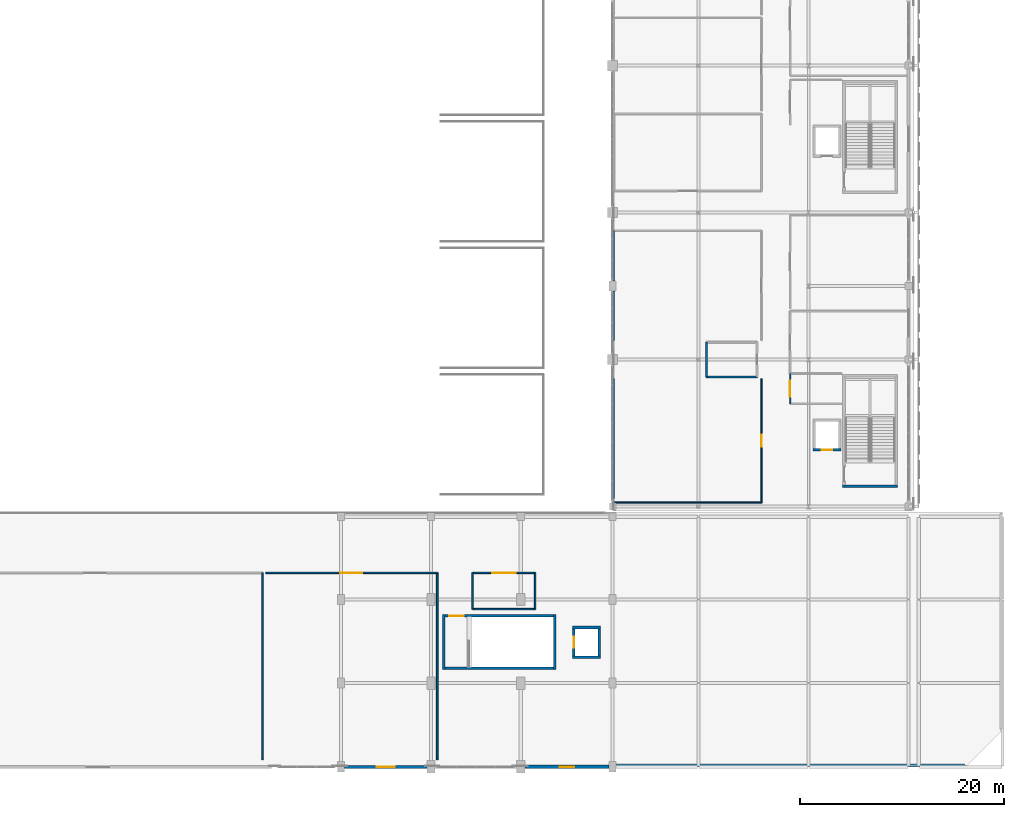
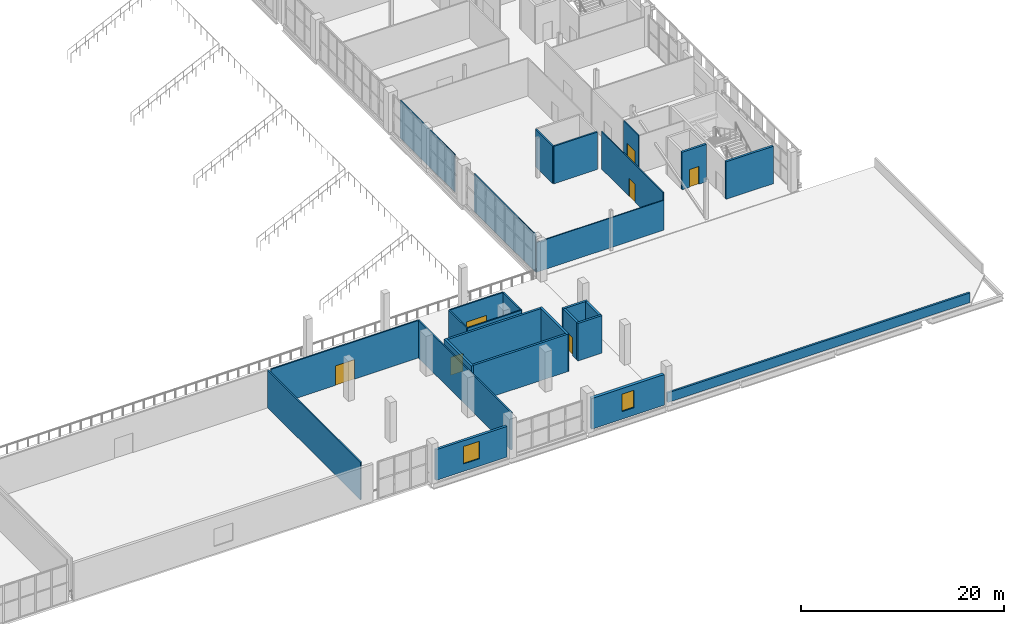
# One storey, part 69 of 104: 27 walls, 7 doors, 2 windows, 9 openings.
"""IFC4 building model written with IfcOpenShell, lengths in metres."""

from ifc_helpers import new_model, si_unit, direction, frame, frame_2d, origin, place, context, subcontext, project, spatial, rectangle, extrude, material, layer, layer_set, type_object, element, fill, save


model = new_model("IFC4")

# Units and contexts
model_context = context("Model", 3, precision=1e-05, world=origin(), true_north=direction((0.0, 1.0)))
body_context = subcontext(model_context, "Body", "Model", "MODEL_VIEW")
ifc_project = project(units=[si_unit("LENGTHUNIT", "METRE"), si_unit("AREAUNIT", "SQUARE_METRE"), si_unit("VOLUMEUNIT", "CUBIC_METRE"), si_unit("PLANEANGLEUNIT", "RADIAN"), si_unit("MASSUNIT", "GRAM", prefix="KILO")], contexts=[model_context])

# Site, building, storey
site_placement = place(None, origin())
site = spatial("IfcSite", under=ifc_project, at=site_placement, CompositionType="ELEMENT")
building_placement = place(site_placement, origin())
building = spatial("IfcBuilding", under=site, at=building_placement, Name="Koshinbarg Plaza Stadium", CompositionType="ELEMENT")
storey_placement = place(building_placement, frame((0.0, 0.0, 19.800048828125)))
storey = spatial("IfcBuildingStorey", under=building, at=storey_placement, Name="L04", CompositionType="ELEMENT", Elevation=19.800048828125)

# Walls
ifc_material_1 = material(Name="Concrete C40/50", Category="concrete")
ifc_layer_1 = layer(ifc_material_1, 0.25)
ifc_layer_set_1 = layer_set([ifc_layer_1], Name="Concrete C40/50")
wall_type_1 = type_object("IfcWallType", Name="WL-CORE-250", PredefinedType="SHEAR", material=ifc_layer_set_1)
wall_1_placement = place(storey_placement, frame((211.949951171875, 27.47509765625, 0.0), z_axis=(0.0, 0.0, 1.0), x_axis=(1.0, 0.0, 0.0)))
element("IfcWall", 1, at=wall_1_placement, inside=storey, type_object=wall_type_1, Name="L04 core stair shear wall C07-near IWL-L04-0178", PredefinedType="SHEAR", context=body_context, shape_type="SweptSolid", body=[
    extrude(rectangle(XDim=5.3701171875, YDim=0.25, at=frame_2d((2.68505859375, 0.0))), origin(), (0.0, 0.0, 1.0), 4.5),
])
for number, where, z_axis, x_axis, name in (
    (2, (172.875, 14.919921875, 0.0), (0.0, 0.0, 1.0), (0.0, -1.0, 0.0), "L04 core stair shear wall C14-near IWL-L04-0326"),
    (3, (183.72509765625, 9.550048828125, 0.0), (0.0, 0.0, 1.0), (0.0, 1.0, 0.0), "L04 core stair shear wall C14-far IWL-L04-0327"),
):
    element("IfcWall", number, at=place(storey_placement, frame(where, z_axis=z_axis, x_axis=x_axis)), inside=storey, type_object=wall_type_1, Name=name, PredefinedType="SHEAR", context=body_context, shape_type="SweptSolid", body=[
        extrude(rectangle(XDim=5.369873046875, YDim=0.25, at=frame_2d((2.68505859375, 0.0))), origin(), (0.0, 0.0, 1.0), 4.5),
    ])

# Wall, opening, door
wall_2_placement = place(storey_placement, frame((172.875, 14.794921875, 0.0), z_axis=(0.0, 0.0, 1.0), x_axis=(1.0, 0.0, 0.0)))
wall_2 = element("IfcWall", 4, at=wall_2_placement, inside=storey, type_object=wall_type_1, Name="L04 core stair shear wall C14-left IWL-L04-0328", PredefinedType="SHEAR", context=body_context, shape_type="SweptSolid", body=[
    extrude(rectangle(XDim=10.85009765625, YDim=0.25, at=frame_2d((5.425048828125, 0.0))), origin(), (0.0, 0.0, 1.0), 4.5),
])
opening_1_placement = place(wall_2_placement, frame((0.52001953125, 0.0, 0.0)))
opening_1 = element("IfcOpeningElement", 5, at=opening_1_placement, cuts=wall_2, Name="Opening D-0144", PredefinedType="OPENING", context=body_context, shape_type="SweptSolid", body=[
    extrude(rectangle(XDim=1.39990234375, YDim=2.14990234375, at=frame_2d((0.699951171875, 1.074951171875))), frame((0.0, 0.135009765625, 0.0), z_axis=(0.0, -1.0, 0.0), x_axis=(1.0, 0.0, 0.0)), (0.0, 0.0, 1.0), 0.27001953125),
])
ifc_material_2 = material(Name="Painted galvanized steel fire door", Category="steel")
door_type_1 = type_object("IfcDoorType", Name="DR-STAIR-1400", OperationType="NOTDEFINED", PredefinedType="DOOR", material=ifc_material_2)
door_1_placement = place(opening_1_placement, frame((1.39990234375, 0.0, 0.0), z_axis=(0.0, 0.0, 1.0), x_axis=(-1.0, 0.0, 0.0)))
door_1 = element("IfcDoor", 6, at=door_1_placement, inside=storey, type_object=door_type_1, Name="L04 exit stair door C14", OperationType="SINGLE_SWING_LEFT", OverallHeight=2.14990234375, OverallWidth=1.39990234375, PredefinedType="DOOR", context=body_context, shape_type="SweptSolid", body=[
    extrude(rectangle(XDim=1.39990234375, YDim=2.14990234375, at=frame_2d((0.699951171875, 1.074951171875))), frame((0.0, 0.02490234375, 0.0), z_axis=(0.0, -1.0, 0.0), x_axis=(1.0, 0.0, 0.0)), (0.0, 0.0, 1.0), 0.050048828125),
])
fill(opening_1, door_1)

# Wall
wall_3_placement = place(storey_placement, frame((172.875, 9.675048828125, 0.0), z_axis=(0.0, 0.0, 1.0), x_axis=(1.0, 0.0, 0.0)))
element("IfcWall", 7, at=wall_3_placement, inside=storey, type_object=wall_type_1, Name="L04 core stair shear wall C14-right IWL-L04-0329", PredefinedType="SHEAR", context=body_context, shape_type="SweptSolid", body=[
    extrude(rectangle(XDim=10.85009765625, YDim=0.25, at=frame_2d((5.425048828125, 0.0))), origin(), (0.0, 0.0, 1.0), 4.5),
])

# Wall, opening, door
wall_4_placement = place(storey_placement, frame((209.02490234375, 31.050048828125, 0.0), z_axis=(0.0, 0.0, 1.0), x_axis=(1.0, 0.0, 0.0)))
wall_4 = element("IfcWall", 8, at=wall_4_placement, inside=storey, type_object=wall_type_1, Name="L04 lift shaft shear wall LP03-S IWL-L04-0878", PredefinedType="SHEAR", context=body_context, shape_type="SweptSolid", body=[
    extrude(rectangle(XDim=2.75, YDim=0.25, at=frame_2d((1.375, 0.0))), origin(), (0.0, 0.0, 1.0), 4.5),
])
opening_2_placement = place(wall_4_placement, frame((0.85009765625, 0.0, 0.0)))
opening_2 = element("IfcOpeningElement", 9, at=opening_2_placement, cuts=wall_4, Name="Opening D-0289", PredefinedType="OPENING", context=body_context, shape_type="SweptSolid", body=[
    extrude(rectangle(XDim=1.050048828125, YDim=2.14990234375, at=frame_2d((0.52490234375, 1.074951171875))), frame((0.0, 0.135009765625, 0.0), z_axis=(0.0, -1.0, 0.0), x_axis=(1.0, 0.0, 0.0)), (0.0, 0.0, 1.0), 0.27001953125),
])
ifc_material_3 = material(Name="Brushed stainless steel sliding lift landing door", Category="steel")
door_type_2 = type_object("IfcDoorType", Name="DR-LIFT-1050", OperationType="NOTDEFINED", PredefinedType="DOOR", material=ifc_material_3)
door_2_placement = place(opening_2_placement, origin())
door_2 = element("IfcDoor", 10, at=door_2_placement, inside=storey, type_object=door_type_2, Name="L04 lift landing door LP03", OperationType="SLIDING_TO_RIGHT", OverallHeight=2.14990234375, OverallWidth=1.050048828125, PredefinedType="DOOR", context=body_context, shape_type="SweptSolid", body=[
    extrude(rectangle(XDim=1.050048828125, YDim=2.14990234375, at=frame_2d((0.52490234375, 1.074951171875))), frame((0.0, 0.02490234375, 0.0), z_axis=(0.0, -1.0, 0.0), x_axis=(1.0, 0.0, 0.0)), (0.0, 0.0, 1.0), 0.050048828125),
])
fill(opening_2, door_2)

# Walls
for number, where, z_axis, x_axis, name in (
    (11, (185.47509765625, 10.75, 0.0), (0.0, 0.0, 1.0), (1.0, 0.0, 0.0), "L04 lift shaft shear wall LP10-S IWL-L04-1026"),
    (12, (188.22509765625, 13.64990234375, 0.0), (0.0, 0.0, 1.0), (-1.0, 0.0, 0.0), "L04 lift shaft shear wall LP10-N IWL-L04-1027"),
):
    element("IfcWall", number, at=place(storey_placement, frame(where, z_axis=z_axis, x_axis=x_axis)), inside=storey, type_object=wall_type_1, Name=name, PredefinedType="SHEAR", context=body_context, shape_type="SweptSolid", body=[
        extrude(rectangle(XDim=2.75, YDim=0.25, at=frame_2d((1.375, 0.0))), origin(), (0.0, 0.0, 1.0), 4.5),
    ])

# Wall, opening, door
wall_5_placement = place(storey_placement, frame((185.60009765625, 13.64990234375, 0.0), z_axis=(0.0, 0.0, 1.0), x_axis=(0.0, -1.0, 0.0)))
wall_5 = element("IfcWall", 13, at=wall_5_placement, inside=storey, type_object=wall_type_1, Name="L04 lift shaft shear wall LP10-W IWL-L04-1028", PredefinedType="SHEAR", context=body_context, shape_type="SweptSolid", body=[
    extrude(rectangle(XDim=2.89990234375, YDim=0.25, at=frame_2d((1.449951171875, 0.0))), origin(), (0.0, 0.0, 1.0), 4.5),
])
opening_3_placement = place(wall_5_placement, frame((0.925048828125, 0.0, 0.0)))
opening_3 = element("IfcOpeningElement", 14, at=opening_3_placement, cuts=wall_5, Name="Opening D-0326", PredefinedType="OPENING", context=body_context, shape_type="SweptSolid", body=[
    extrude(rectangle(XDim=1.050048828125, YDim=2.14990234375, at=frame_2d((0.52490234375, 1.074951171875))), frame((0.0, 0.135009765625, 0.0), z_axis=(0.0, -1.0, 0.0), x_axis=(1.0, 0.0, 0.0)), (0.0, 0.0, 1.0), 0.27001953125),
])
door_3_placement = place(opening_3_placement, origin())
door_3 = element("IfcDoor", 15, at=door_3_placement, inside=storey, type_object=door_type_2, Name="L04 lift landing door LP10", OperationType="SLIDING_TO_LEFT", OverallHeight=2.14990234375, OverallWidth=1.050048828125, PredefinedType="DOOR", context=body_context, shape_type="SweptSolid", body=[
    extrude(rectangle(XDim=1.050048828125, YDim=2.14990234375, at=frame_2d((0.52490234375, 1.074951171875))), frame((0.0, 0.02490234375, 0.0), z_axis=(0.0, -1.0, 0.0), x_axis=(1.0, 0.0, 0.0)), (0.0, 0.0, 1.0), 0.050048828125),
])
fill(opening_3, door_3)

# Wall
wall_6_placement = place(storey_placement, frame((188.10009765625, 10.75, 0.0), z_axis=(0.0, 0.0, 1.0), x_axis=(0.0, 1.0, 0.0)))
element("IfcWall", 16, at=wall_6_placement, inside=storey, type_object=wall_type_1, Name="L04 lift shaft shear wall LP10-E IWL-L04-1029", PredefinedType="SHEAR", context=body_context, shape_type="SweptSolid", body=[
    extrude(rectangle(XDim=2.89990234375, YDim=0.25, at=frame_2d((1.449951171875, 0.0))), origin(), (0.0, 0.0, 1.0), 4.5),
])

# Wall, opening, window
ifc_material_4 = material(Name="Terracotta-ochre mineral plaster insulated wall", Category="masonry")
ifc_layer_2 = layer(ifc_material_4, 0.280029296875)
ifc_layer_set_2 = layer_set([ifc_layer_2], Name="Terracotta-ochre mineral plaster insulated wall")
wall_type_2 = type_object("IfcWallType", Name="WL-EXT-280", PredefinedType="SOLIDWALL", material=ifc_layer_set_2)
wall_7_placement = place(storey_placement, frame((171.205078125, 0.0, 0.0), z_axis=(0.0, 0.0, 1.0), x_axis=(-1.0, 0.0, 0.0)))
wall_7 = element("IfcWall", 17, at=wall_7_placement, inside=storey, type_object=wall_type_2, Name="L04 exterior envelope wall EWL-L04-0216", PredefinedType="SOLIDWALL", context=body_context, shape_type="SweptSolid", body=[
    extrude(rectangle(XDim=8.06005859375, YDim=0.280029296875, at=frame_2d((4.030029296875, 0.0))), origin(), (0.0, 0.0, 1.0), 3.679931640625),
])
opening_4_placement = place(wall_7_placement, frame((3.1298828125, 0.0, 0.89990234375)))
opening_4 = element("IfcOpeningElement", 18, at=opening_4_placement, cuts=wall_7, Name="Opening WN14", PredefinedType="OPENING", context=body_context, shape_type="SweptSolid", body=[
    extrude(rectangle(XDim=1.800048828125, YDim=2.10009765625, at=frame_2d((0.89990234375, 1.050048828125))), frame((0.0, 0.14990234375, 0.0), z_axis=(0.0, -1.0, 0.0), x_axis=(1.0, 0.0, 0.0)), (0.0, 0.0, 1.0), 0.300048828125),
])
ifc_material_5 = material(Name="Solar-control double glazing in thermally broken aluminium frame", Category="aluminium")
window_type_1 = type_object("IfcWindowType", Name="WN-FAC-14", PartitioningType="DOUBLE_PANEL_VERTICAL", PredefinedType="WINDOW", material=ifc_material_5)
window_1_placement = place(opening_4_placement, origin())
window_1 = element("IfcWindow", 19, at=window_1_placement, inside=storey, type_object=window_type_1, Name="L04 facade window 0148", OverallHeight=2.10009765625, OverallWidth=1.800048828125, PartitioningType="SINGLE_PANEL", PredefinedType="WINDOW", context=body_context, shape_type="SweptSolid", body=[
    extrude(rectangle(XDim=1.800048828125, YDim=2.10009765625, at=frame_2d((0.89990234375, 1.050048828125))), frame((0.0, 0.030029296875, 0.0), z_axis=(0.0, -1.0, 0.0), x_axis=(1.0, 0.0, 0.0)), (0.0, 0.0, 1.0), 0.06005859375),
])
fill(opening_4, window_1)

ifc_material_6 = material(Name="Acoustic insulated masonry stadium wall", Category="masonry")
ifc_layer_3 = layer(ifc_material_6, 0.35009765625)
ifc_layer_set_3 = layer_set([ifc_layer_3], Name="Acoustic insulated masonry stadium wall")
wall_type_3 = type_object("IfcWallType", Name="WL-EXT-350", PredefinedType="SOLIDWALL", material=ifc_layer_set_3)
wall_8_placement = place(storey_placement, frame((189.054931640625, 0.0, 0.0), z_axis=(0.0, 0.0, 1.0), x_axis=(-1.0, 0.0, 0.0)))
wall_8 = element("IfcWall", 20, at=wall_8_placement, inside=storey, type_object=wall_type_3, Name="L04 exterior envelope wall EWL-L04-0215", PredefinedType="SOLIDWALL", context=body_context, shape_type="SweptSolid", body=[
    extrude(rectangle(XDim=8.260009765625, YDim=0.35009765625, at=frame_2d((4.1298828125, 0.0))), origin(), (0.0, 0.0, 1.0), 3.679931640625),
])
opening_5_placement = place(wall_8_placement, frame((3.429931640625, 0.0, 0.89990234375)))
opening_5 = element("IfcOpeningElement", 21, at=opening_5_placement, cuts=wall_8, Name="Opening WN13", PredefinedType="OPENING", context=body_context, shape_type="SweptSolid", body=[
    extrude(rectangle(XDim=1.39990234375, YDim=2.10009765625, at=frame_2d((0.699951171875, 1.050048828125))), frame((0.0, 0.18505859375, 0.0), z_axis=(0.0, -1.0, 0.0), x_axis=(1.0, 0.0, 0.0)), (0.0, 0.0, 1.0), 0.3701171875),
])
window_type_2 = type_object("IfcWindowType", Name="WN-FAC-13", PartitioningType="DOUBLE_PANEL_VERTICAL", PredefinedType="WINDOW", material=ifc_material_5)
window_2_placement = place(opening_5_placement, origin())
window_2 = element("IfcWindow", 22, at=window_2_placement, inside=storey, type_object=window_type_2, Name="L04 facade window 0147", OverallHeight=2.10009765625, OverallWidth=1.39990234375, PartitioningType="SINGLE_PANEL", PredefinedType="WINDOW", context=body_context, shape_type="SweptSolid", body=[
    extrude(rectangle(XDim=1.39990234375, YDim=2.10009765625, at=frame_2d((0.699951171875, 1.050048828125))), frame((0.0, 0.030029296875, 0.0), z_axis=(0.0, -1.0, 0.0), x_axis=(1.0, 0.0, 0.0)), (0.0, 0.0, 1.0), 0.06005859375),
])
fill(opening_5, window_2)

# Walls
ifc_material_7 = material(Name="Precast concrete C40/50", Category="concrete")
ifc_layer_4 = layer(ifc_material_7, 0.219970703125)
ifc_layer_set_4 = layer_set([ifc_layer_4], Name="Precast concrete C40/50")
wall_type_4 = type_object("IfcWallType", Name="WL-PAR-220", PredefinedType="PARAPET", material=ifc_layer_set_4)
wall_9_placement = place(storey_placement, frame((223.89990234375, 0.14990234375, 0.0), z_axis=(0.0, 0.0, 1.0), x_axis=(-1.0, 0.0, 0.0)))
element("IfcWall", 23, at=wall_9_placement, inside=storey, type_object=wall_type_4, Name="L04 stepped pavilion roof parapet 045", PredefinedType="PARAPET", context=body_context, shape_type="SweptSolid", body=[
    extrude(rectangle(XDim=34.349853515625, YDim=0.219970703125, at=frame_2d((17.1748046875, 0.0))), origin(), (0.0, 0.0, 1.0), 1.14990234375),
])
ifc_material_8 = material(Name="Gypsum board metal-stud acoustic partition")
ifc_layer_5 = layer(ifc_material_8, 0.1201171875)
ifc_layer_set_5 = layer_set([ifc_layer_5], Name="Gypsum board metal-stud acoustic partition")
wall_type_5 = type_object("IfcWallType", Name="WL-PART-120", PredefinedType="PARTITIONING", material=ifc_layer_set_5)
wall_10_placement = place(storey_placement, frame((189.52001953125, 25.89501953125, 0.0), z_axis=(0.0, 0.0, 1.0), x_axis=(1.0, 0.0, 0.0)))
element("IfcWall", 24, at=wall_10_placement, inside=storey, type_object=wall_type_5, Name="L04 interior partition L04-64-south IWL-L04-2164", PredefinedType="PARTITIONING", context=body_context, shape_type="SweptSolid", body=[
    extrude(rectangle(XDim=14.47998046875, YDim=0.1201171875, at=frame_2d((7.239990234375, 0.0))), origin(), (0.0, 0.0, 1.0), 3.579833984375),
])

# Wall, opening, door
wall_11_placement = place(storey_placement, frame((204.0, 25.89501953125, 0.0), z_axis=(0.0, 0.0, 1.0), x_axis=(0.0, 1.0, 0.0)))
wall_11 = element("IfcWall", 25, at=wall_11_placement, inside=storey, type_object=wall_type_5, Name="L04 interior partition L04-64-east IWL-L04-2165", PredefinedType="PARTITIONING", context=body_context, shape_type="SweptSolid", body=[
    extrude(rectangle(XDim=12.125, YDim=0.1201171875, at=frame_2d((6.0625, 0.0))), origin(), (0.0, 0.0, 1.0), 4.5),
])
opening_6_placement = place(wall_11_placement, frame((5.46240234375, 0.0, 0.0)))
opening_6 = element("IfcOpeningElement", 26, at=opening_6_placement, cuts=wall_11, Name="Opening D-0747", PredefinedType="OPENING", context=body_context, shape_type="SweptSolid", body=[
    extrude(rectangle(XDim=1.199951171875, YDim=2.14990234375, at=frame_2d((0.60009765625, 1.074951171875))), frame((0.0, 0.070068359375, 0.0), z_axis=(0.0, -1.0, 0.0), x_axis=(1.0, 0.0, 0.0)), (0.0, 0.0, 1.0), 0.14013671875),
])
ifc_material_9 = material(Name="Solid-core hardwood leaf in painted steel frame", Category="steel")
door_type_3 = type_object("IfcDoorType", Name="DR-INT-1200x2150", OperationType="NOTDEFINED", PredefinedType="DOOR", material=ifc_material_9)
door_4_placement = place(opening_6_placement, origin())
door_4 = element("IfcDoor", 27, at=door_4_placement, inside=storey, type_object=door_type_3, Name="L04 East Skybox Suite door D-0747", OperationType="SINGLE_SWING_LEFT", OverallHeight=2.14990234375, OverallWidth=1.199951171875, PredefinedType="DOOR", context=body_context, shape_type="SweptSolid", body=[
    extrude(rectangle(XDim=1.199951171875, YDim=2.14990234375, at=frame_2d((0.60009765625, 1.074951171875))), frame((0.0, 0.02490234375, 0.0), z_axis=(0.0, -1.0, 0.0), x_axis=(1.0, 0.0, 0.0)), (0.0, 0.0, 1.0), 0.050048828125),
])
fill(opening_6, door_4)

# Walls
wall_12_placement = place(storey_placement, frame((189.52001953125, 38.02001953125, 0.0), z_axis=(0.0, 0.0, 1.0), x_axis=(0.0, -1.0, 0.0)))
element("IfcWall", 28, at=wall_12_placement, inside=storey, type_object=wall_type_5, Name="L04 interior partition L04-64-west IWL-L04-2166", PredefinedType="PARTITIONING", context=body_context, shape_type="SweptSolid", body=[
    extrude(rectangle(XDim=12.125, YDim=0.1201171875, at=frame_2d((6.0625, 0.0))), origin(), (0.0, 0.0, 1.0), 4.5),
])
wall_13_placement = place(storey_placement, frame((189.52001953125, 52.52001953125, 0.0), z_axis=(0.0, 0.0, 1.0), x_axis=(0.0, -1.0, 0.0)))
element("IfcWall", 29, at=wall_13_placement, inside=storey, type_object=wall_type_5, Name="L04 interior partition L04-65-west IWL-L04-2169", PredefinedType="PARTITIONING", context=body_context, shape_type="SweptSolid", body=[
    extrude(rectangle(XDim=10.739990234375, YDim=0.1201171875, at=frame_2d((5.3701171875, 0.0))), origin(), (0.0, 0.0, 1.0), 4.5),
])

# Wall, opening, door
wall_14_placement = place(storey_placement, frame((206.800048828125, 38.530029296875, 0.0), z_axis=(0.0, 0.0, 1.0), x_axis=(0.0, -1.0, 0.0)))
wall_14 = element("IfcWall", 30, at=wall_14_placement, inside=storey, type_object=wall_type_5, Name="L04 interior partition L04-67-west IWL-L04-2174", PredefinedType="PARTITIONING", context=body_context, shape_type="SweptSolid", body=[
    extrude(rectangle(XDim=2.967041015625, YDim=0.1201171875, at=frame_2d((1.4833984375, 0.0))), origin(), (0.0, 0.0, 1.0), 4.5),
])
opening_7_placement = place(wall_14_placement, frame((0.70849609375, 0.0, 0.0)))
opening_7 = element("IfcOpeningElement", 31, at=opening_7_placement, cuts=wall_14, Name="Opening D-0750", PredefinedType="OPENING", context=body_context, shape_type="SweptSolid", body=[
    extrude(rectangle(XDim=1.550048828125, YDim=2.199951171875, at=frame_2d((0.77490234375, 1.10009765625))), frame((0.0, 0.070068359375, 0.0), z_axis=(0.0, -1.0, 0.0), x_axis=(1.0, 0.0, 0.0)), (0.0, 0.0, 1.0), 0.14013671875),
])
ifc_material_10 = material(Name="Toughened laminated glass in aluminium frame", Category="aluminium")
door_type_4 = type_object("IfcDoorType", Name="DR-INT-1550x2200", OperationType="NOTDEFINED", PredefinedType="DOOR", material=ifc_material_10)
door_5_placement = place(opening_7_placement, origin())
door_5 = element("IfcDoor", 32, at=door_5_placement, inside=storey, type_object=door_type_4, Name="L04 Supporters' Viewing Salon door D-0750", OperationType="DOUBLE_DOOR_SINGLE_SWING", OverallHeight=2.199951171875, OverallWidth=1.550048828125, PredefinedType="DOOR", context=body_context, shape_type="SweptSolid", body=[
    extrude(rectangle(XDim=1.550048828125, YDim=2.199951171875, at=frame_2d((0.77490234375, 1.10009765625))), frame((0.0, 0.02490234375, 0.0), z_axis=(0.0, -1.0, 0.0), x_axis=(1.0, 0.0, 0.0)), (0.0, 0.0, 1.0), 0.050048828125),
])
fill(opening_7, door_5)

# Walls
ifc_material_11 = material(Name="Double-layer gypsum acoustic suite partition")
ifc_layer_6 = layer(ifc_material_11, 0.14990234375)
ifc_layer_set_6 = layer_set([ifc_layer_6], Name="Double-layer gypsum acoustic suite partition")
wall_type_6 = type_object("IfcWallType", Name="WL-PART-150", PredefinedType="PARTITIONING", material=ifc_layer_set_6)
for number, where, z_axis, x_axis, name in (
    (33, (155.110107421875, 0.699951171875, 0.0), (0.0, 0.0, 1.0), (0.0, 1.0, 0.0), "L04 interior partition L04-89-east IWL-L04-2233"),
    (34, (172.219970703125, 0.699951171875, 0.0), (0.0, 0.0, 1.0), (0.0, 1.0, 0.0), "L04 interior partition L04-90-east IWL-L04-2236"),
):
    element("IfcWall", number, at=place(storey_placement, frame(where, z_axis=z_axis, x_axis=x_axis)), inside=storey, type_object=wall_type_6, Name=name, PredefinedType="PARTITIONING", context=body_context, shape_type="SweptSolid", body=[
        extrude(rectangle(XDim=18.300048828125, YDim=0.14990234375, at=frame_2d((9.14990234375, 0.0))), origin(), (0.0, 0.0, 1.0), 4.5),
    ])

# Wall, opening, door
wall_15_placement = place(storey_placement, frame((172.219970703125, 19.0, 0.0), z_axis=(0.0, 0.0, 1.0), x_axis=(-1.0, 0.0, 0.0)))
wall_15 = element("IfcWall", 35, at=wall_15_placement, inside=storey, type_object=wall_type_6, Name="L04 interior partition L04-90-north IWL-L04-2237", PredefinedType="PARTITIONING", context=body_context, shape_type="SweptSolid", body=[
    extrude(rectangle(XDim=16.81005859375, YDim=0.14990234375, at=frame_2d((8.405029296875, 0.0))), origin(), (0.0, 0.0, 1.0), 4.5),
])
opening_8_placement = place(wall_15_placement, frame((7.324951171875, 0.0, 0.0)))
opening_8 = element("IfcOpeningElement", 36, at=opening_8_placement, cuts=wall_15, Name="Opening D-0773", PredefinedType="OPENING", context=body_context, shape_type="SweptSolid", body=[
    extrude(rectangle(XDim=2.159912109375, YDim=2.35009765625, at=frame_2d((1.080078125, 1.175048828125))), frame((0.0, 0.0849609375, 0.0), z_axis=(0.0, -1.0, 0.0), x_axis=(1.0, 0.0, 0.0)), (0.0, 0.0, 1.0), 0.169921875),
])
ifc_material_12 = material(Name="Galvanized painted steel double leaf door", Category="steel")
door_type_5 = type_object("IfcDoorType", Name="DR-INT-2160x2350", OperationType="NOTDEFINED", PredefinedType="DOOR", material=ifc_material_12)
door_6_placement = place(opening_8_placement, origin())
door_6 = element("IfcDoor", 37, at=door_6_placement, inside=storey, type_object=door_type_5, Name="L04 International Media Briefing Room door D-0773", OperationType="DOUBLE_DOOR_SINGLE_SWING", OverallHeight=2.35009765625, OverallWidth=2.159912109375, PredefinedType="DOOR", context=body_context, shape_type="SweptSolid", body=[
    extrude(rectangle(XDim=2.159912109375, YDim=2.35009765625, at=frame_2d((1.080078125, 1.175048828125))), frame((0.0, 0.02490234375, 0.0), z_axis=(0.0, -1.0, 0.0), x_axis=(1.0, 0.0, 0.0)), (0.0, 0.0, 1.0), 0.050048828125),
])
fill(opening_8, door_6)

# Walls
wall_16_placement = place(storey_placement, frame((175.679931640625, 15.449951171875, 0.0), z_axis=(0.0, 0.0, 1.0), x_axis=(1.0, 0.0, 0.0)))
element("IfcWall", 38, at=wall_16_placement, inside=storey, type_object=wall_type_6, Name="L04 interior partition L04-91-south IWL-L04-2238", PredefinedType="PARTITIONING", context=body_context, shape_type="SweptSolid", body=[
    extrude(rectangle(XDim=6.14013671875, YDim=0.14990234375, at=frame_2d((3.070068359375, 0.0))), origin(), (0.0, 0.0, 1.0), 4.5),
])
wall_17_placement = place(storey_placement, frame((181.820068359375, 15.449951171875, 0.0), z_axis=(0.0, 0.0, 1.0), x_axis=(0.0, 1.0, 0.0)))
element("IfcWall", 39, at=wall_17_placement, inside=storey, type_object=wall_type_6, Name="L04 interior partition L04-91-east IWL-L04-2239", PredefinedType="PARTITIONING", context=body_context, shape_type="SweptSolid", body=[
    extrude(rectangle(XDim=3.550048828125, YDim=0.14990234375, at=frame_2d((1.77490234375, 0.0))), origin(), (0.0, 0.0, 1.0), 4.5),
])

# Wall, opening, door
wall_18_placement = place(storey_placement, frame((181.820068359375, 19.0, 0.0), z_axis=(0.0, 0.0, 1.0), x_axis=(-1.0, 0.0, 0.0)))
wall_18 = element("IfcWall", 40, at=wall_18_placement, inside=storey, type_object=wall_type_6, Name="L04 interior partition L04-91-north IWL-L04-2240", PredefinedType="PARTITIONING", context=body_context, shape_type="SweptSolid", body=[
    extrude(rectangle(XDim=6.14013671875, YDim=0.14990234375, at=frame_2d((3.070068359375, 0.0))), origin(), (0.0, 0.0, 1.0), 4.5),
])
opening_9_placement = place(wall_18_placement, frame((1.929931640625, 0.0, 0.0)))
opening_9 = element("IfcOpeningElement", 41, at=opening_9_placement, cuts=wall_18, Name="Opening D-0774", PredefinedType="OPENING", context=body_context, shape_type="SweptSolid", body=[
    extrude(rectangle(XDim=2.280029296875, YDim=2.39990234375, at=frame_2d((1.14013671875, 1.199951171875))), frame((0.0, 0.0849609375, 0.0), z_axis=(0.0, -1.0, 0.0), x_axis=(1.0, 0.0, 0.0)), (0.0, 0.0, 1.0), 0.169921875),
])
ifc_material_13 = material(Name="Anodised aluminium and laminated glass portal door", Category="aluminium")
door_type_6 = type_object("IfcDoorType", Name="DR-INT-2280x2400", OperationType="NOTDEFINED", PredefinedType="DOOR", material=ifc_material_13)
door_7_placement = place(opening_9_placement, origin())
door_7 = element("IfcDoor", 42, at=door_7_placement, inside=storey, type_object=door_type_6, Name="L04 Post-Match Media Studio door D-0774", OperationType="DOUBLE_DOOR_SINGLE_SWING", OverallHeight=2.39990234375, OverallWidth=2.280029296875, PredefinedType="DOOR", context=body_context, shape_type="SweptSolid", body=[
    extrude(rectangle(XDim=2.280029296875, YDim=2.39990234375, at=frame_2d((1.14013671875, 1.199951171875))), frame((0.0, 0.02490234375, 0.0), z_axis=(0.0, -1.0, 0.0), x_axis=(1.0, 0.0, 0.0)), (0.0, 0.0, 1.0), 0.050048828125),
])
fill(opening_9, door_7)

# Walls
wall_19_placement = place(storey_placement, frame((175.679931640625, 19.0, 0.0), z_axis=(0.0, 0.0, 1.0), x_axis=(0.0, -1.0, 0.0)))
element("IfcWall", 43, at=wall_19_placement, inside=storey, type_object=wall_type_6, Name="L04 interior partition L04-91-west IWL-L04-2241", PredefinedType="PARTITIONING", context=body_context, shape_type="SweptSolid", body=[
    extrude(rectangle(XDim=3.550048828125, YDim=0.14990234375, at=frame_2d((1.77490234375, 0.0))), origin(), (0.0, 0.0, 1.0), 4.5),
])
ifc_material_14 = material(Name="Moisture-resistant tiled sanitary partition")
ifc_layer_7 = layer(ifc_material_14, 0.179931640625)
ifc_layer_set_7 = layer_set([ifc_layer_7], Name="Moisture-resistant tiled sanitary partition")
wall_type_7 = type_object("IfcWallType", Name="WL-PART-180", PredefinedType="PARTITIONING", material=ifc_layer_set_7)
wall_20_placement = place(storey_placement, frame((198.60009765625, 38.199951171875, 0.0), z_axis=(0.0, 0.0, 1.0), x_axis=(1.0, 0.0, 0.0)))
element("IfcWall", 44, at=wall_20_placement, inside=storey, type_object=wall_type_7, Name="L04 interior partition L04-34-south IWL-L04-2088", PredefinedType="PARTITIONING", context=body_context, shape_type="SweptSolid", body=[
    extrude(rectangle(XDim=4.949951171875, YDim=0.179931640625, at=frame_2d((2.47509765625, 0.0))), origin(), (0.0, 0.0, 1.0), 4.5),
])
wall_21_placement = place(storey_placement, frame((198.60009765625, 41.60009765625, 0.0), z_axis=(0.0, 0.0, 1.0), x_axis=(0.0, -1.0, 0.0)))
element("IfcWall", 45, at=wall_21_placement, inside=storey, type_object=wall_type_7, Name="L04 interior partition L04-34-west IWL-L04-2091", PredefinedType="PARTITIONING", context=body_context, shape_type="SweptSolid", body=[
    extrude(rectangle(XDim=3.400146484375, YDim=0.179931640625, at=frame_2d((1.7001953125, 0.0))), origin(), (0.0, 0.0, 1.0), 4.5),
])

save(model, "model.ifc")
